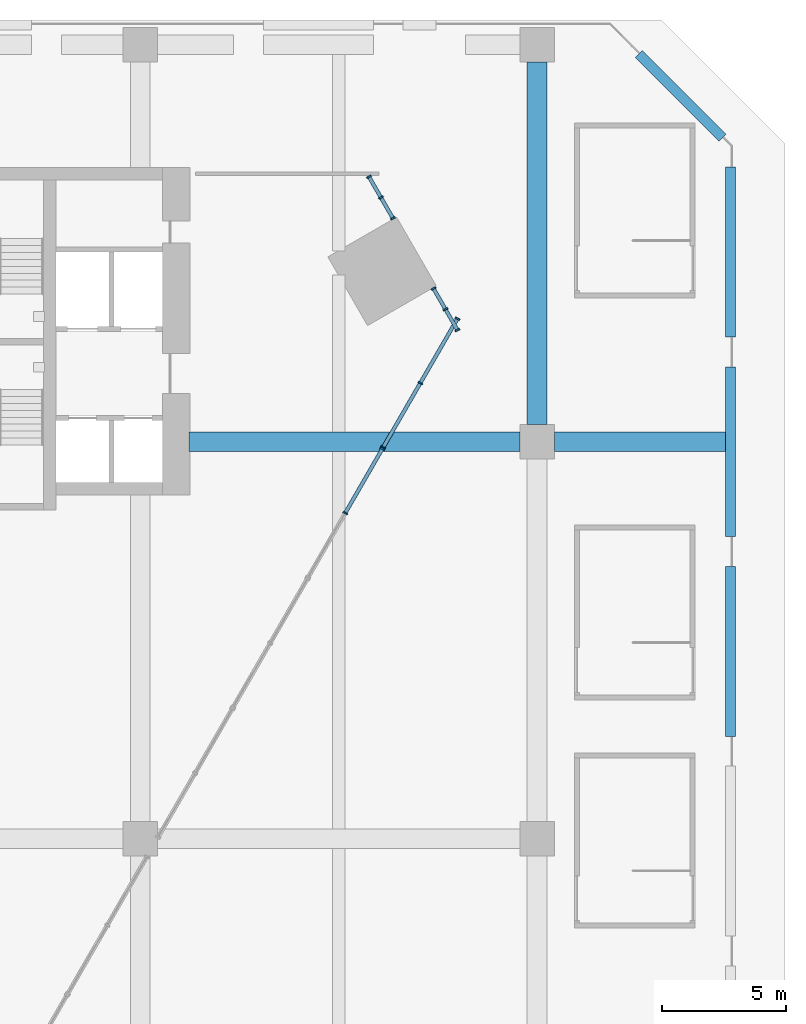
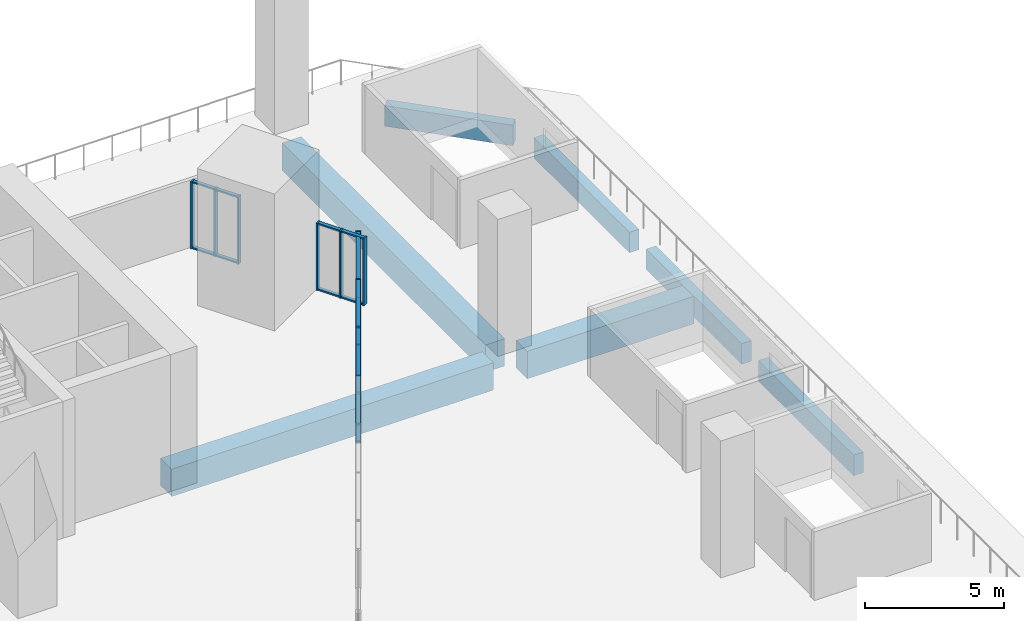
# One storey, part 12 of 25: 25 members, 7 beams, 4 elements without a shape of their own.
"""IFC4 building model written with IfcOpenShell, lengths in metres."""

from ifc_helpers import new_model, si_unit, direction, frame, origin, origin_2d, place, context, subcontext, project, spatial, rectangle, extrude, material, material_profile, profile_set, type_object, element, aggregate, save


model = new_model("IFC4")

# Units and contexts
model_context = context("Model", 3, precision=1e-05, world=origin(), true_north=direction((0.0, 1.0)))
body_context = subcontext(model_context, "Body", "Model", "MODEL_VIEW")
ifc_project = project(units=[si_unit("LENGTHUNIT", "METRE"), si_unit("AREAUNIT", "SQUARE_METRE"), si_unit("VOLUMEUNIT", "CUBIC_METRE"), si_unit("PLANEANGLEUNIT", "RADIAN"), si_unit("MASSUNIT", "GRAM", prefix="KILO")], contexts=[model_context])

# Site, building, storey
site_placement = place(None, origin())
site = spatial("IfcSite", under=ifc_project, at=site_placement, CompositionType="ELEMENT")
building_placement = place(site_placement, origin())
building = spatial("IfcBuilding", under=site, at=building_placement, Name="Calabash Gate Tower", CompositionType="ELEMENT")
storey_placement = place(building_placement, frame((0.0, 0.0, 40.0)))
storey = spatial("IfcBuildingStorey", under=building, at=storey_placement, Name="L05", CompositionType="ELEMENT", Elevation=40.0)

# Beams
ifc_material_1 = material(Name="Concrete C50/60", Category="concrete")
ifc_material_profile_1 = material_profile(ifc_material_1, rectangle(XDim=0.39990234375, YDim=0.89990234375, at=origin_2d()))
ifc_profile_set_1 = profile_set([ifc_material_profile_1], Name="Concrete C50/60")
beam_type_1 = type_object("IfcBeamType", Name="Edge beam RC 400x900 Concrete C50/60", PredefinedType="BEAM", material=ifc_profile_set_1)
beam_1_placement = place(storey_placement, frame((36.096923828125, 23.623046875, -0.89990234375), z_axis=(0.706799232068, -0.707414196597, 0.0), x_axis=(0.707414196597, 0.706799232068, 0.0)))
element("IfcBeam", 1, at=beam_1_placement, inside=storey, type_object=beam_type_1, Name="Edge beam L05 18", PredefinedType="BEAM", context=body_context, shape_type="SweptSolid", body=[
    extrude(rectangle(XDim=0.39990234375, YDim=0.89990234375, at=origin_2d()), origin(), (0.0, 0.0, 1.0), 4.763916015625),
])
beam_2_placement = place(storey_placement, frame((39.800048828125, 19.069091796875, -0.89990234375), z_axis=(0.0, -1.0, 0.0), x_axis=(1.0, 0.0, 0.0)))
element("IfcBeam", 2, at=beam_2_placement, inside=storey, type_object=beam_type_1, Name="Edge beam L05 19", PredefinedType="BEAM", context=body_context, shape_type="SweptSolid", body=[
    extrude(rectangle(XDim=0.39990234375, YDim=0.89990234375, at=origin_2d()), origin(), (0.0, 0.0, 1.0), 6.84912109375),
])
for number, where, z_axis, x_axis, name in (
    (3, (39.800048828125, 11.02001953125, -0.89990234375), (0.0, -1.0, 0.0), (1.0, 0.0, 0.0), "Edge beam L05 20"),
    (4, (39.800048828125, 2.971923828125, -0.89990234375), (0.0, -1.0, 0.0), (1.0, 0.0, 0.0), "Edge beam L05 21"),
):
    element("IfcBeam", number, at=place(storey_placement, frame(where, z_axis=z_axis, x_axis=x_axis)), inside=storey, type_object=beam_type_1, Name=name, PredefinedType="BEAM", context=body_context, shape_type="SweptSolid", body=[
        extrude(rectangle(XDim=0.39990234375, YDim=0.89990234375, at=origin_2d()), origin(), (0.0, 0.0, 1.0), 6.847900390625),
    ])
ifc_material_2 = material(Name="Concrete C50/60", Category="concrete")
ifc_material_profile_2 = material_profile(ifc_material_2, rectangle(XDim=0.800048828125, YDim=1.199951171875, at=origin_2d()))
ifc_profile_set_2 = profile_set([ifc_material_profile_2], Name="Concrete C50/60")
beam_type_2 = type_object("IfcBeamType", Name="Grid girder RC 800x1200 Concrete C50/60", PredefinedType="BEAM", material=ifc_profile_set_2)
beam_3_placement = place(storey_placement, frame((32.0, 8.699951171875, -1.050048828125), z_axis=(0.0, 1.0, 0.0), x_axis=(-1.0, 0.0, 0.0)))
element("IfcBeam", 5, at=beam_3_placement, inside=storey, type_object=beam_type_2, Name="Grid girder L05 21", PredefinedType="BEAM", context=body_context, shape_type="SweptSolid", body=[
    extrude(rectangle(XDim=0.800048828125, YDim=1.199951171875, at=origin_2d()), origin(), (0.0, 0.0, 1.0), 14.60009765625),
])
beam_4_placement = place(storey_placement, frame((17.968017578125, 8.0, -1.050048828125), z_axis=(1.0, 0.0, 0.0), x_axis=(0.0, 1.0, 0.0)))
element("IfcBeam", 6, at=beam_4_placement, inside=storey, type_object=beam_type_2, Name="Grid girder L05 40", PredefinedType="BEAM", context=body_context, shape_type="SweptSolid", body=[
    extrude(rectangle(XDim=0.800048828125, YDim=1.199951171875, at=origin_2d()), origin(), (0.0, 0.0, 1.0), 13.33203125),
])
beam_5_placement = place(storey_placement, frame((32.699951171875, 8.0, -1.050048828125), z_axis=(1.0, 0.0, 0.0), x_axis=(0.0, 1.0, 0.0)))
element("IfcBeam", 7, at=beam_5_placement, inside=storey, type_object=beam_type_2, Name="Grid girder L05 41", PredefinedType="BEAM", context=body_context, shape_type="SweptSolid", body=[
    extrude(rectangle(XDim=0.800048828125, YDim=1.199951171875, at=origin_2d()), origin(), (0.0, 0.0, 1.0), 6.900146484375),
])

# Curtain wall, members
ifc_material_3 = material(Name="Anodised aluminium frame, bronze finish, clear laminated impact-rated glazing", Category="aluminium")
curtain_wall_type = type_object("IfcCurtainWallType", Name="Curtain wall CWF podium shopfront", PredefinedType="NOTDEFINED", material=ifc_material_3)
curtain_wall_1_placement = place(storey_placement, origin())
curtain_wall_1 = element("IfcCurtainWall", 8, at=curtain_wall_1_placement, inside=storey, type_object=curtain_wall_type, Name="Curtain wall CWF L05 lobby 2.2.2", PredefinedType="NOTDEFINED")
ifc_material_4 = material(Name="Anodised aluminium frame, bronze finish", Category="aluminium")
ifc_material_profile_3 = material_profile(ifc_material_4, rectangle(XDim=0.199951171875, YDim=0.06494140625, at=origin_2d()))
ifc_profile_set_3 = profile_set([ifc_material_profile_3], Name="Anodised aluminium frame, bronze finish")
member_type_1 = type_object("IfcMemberType", Name="Mullion CWF 65x200", PredefinedType="MULLION", material=ifc_profile_set_3)
member_1_placement = place(storey_placement, frame((24.2666015625, 5.1259765625, 0.0), z_axis=(0.0, 0.0, 1.0), x_axis=(-0.866025331903, 0.500000124502, 0.0)))
member_1 = element("IfcMember", 9, at=member_1_placement, type_object=member_type_1, Name="CWF mullion 2", PredefinedType="MULLION", context=body_context, shape_type="SweptSolid", body=[
    extrude(rectangle(XDim=0.199951171875, YDim=0.06494140625, at=origin_2d()), origin(), (0.0, 0.0, 1.0), 2.949951171875),
])
member_2_placement = place(storey_placement, frame((25.76318359375, 7.71826171875, 0.0), z_axis=(0.0, 0.0, 1.0), x_axis=(-0.866025331903, 0.500000124502, 0.0)))
member_2 = element("IfcMember", 10, at=member_2_placement, type_object=member_type_1, Name="CWF mullion 3", PredefinedType="MULLION", context=body_context, shape_type="SweptSolid", body=[
    extrude(rectangle(XDim=0.199951171875, YDim=0.06494140625, at=origin_2d()), origin(), (0.0, 0.0, 1.0), 2.949951171875),
])

curtain_wall_2_placement = place(storey_placement, origin())
curtain_wall_2 = element("IfcCurtainWall", 11, at=curtain_wall_2_placement, inside=storey, type_object=curtain_wall_type, Name="Curtain wall CWF L05 lobby 2.2.3", PredefinedType="NOTDEFINED")
member_3_placement = place(storey_placement, frame((25.7958984375, 7.7744140625, 0.0), z_axis=(0.0, 0.0, 1.0), x_axis=(-0.866025444773, 0.499999929005, 0.0)))
member_3 = element("IfcMember", 12, at=member_3_placement, type_object=member_type_1, Name="CWF mullion 1", PredefinedType="MULLION", context=body_context, shape_type="SweptSolid", body=[
    extrude(rectangle(XDim=0.199951171875, YDim=0.06494140625, at=origin_2d()), origin(), (0.0, 0.0, 1.0), 2.949951171875),
])
member_4_placement = place(storey_placement, frame((27.29248046875, 10.36669921875, 0.0), z_axis=(0.0, 0.0, 1.0), x_axis=(-0.866025444773, 0.499999929005, 0.0)))
member_4 = element("IfcMember", 13, at=member_4_placement, type_object=member_type_1, Name="CWF mullion 2", PredefinedType="MULLION", context=body_context, shape_type="SweptSolid", body=[
    extrude(rectangle(XDim=0.199951171875, YDim=0.06494140625, at=origin_2d()), origin(), (0.0, 0.0, 1.0), 2.949951171875),
])
member_5_placement = place(storey_placement, frame((28.7890625, 12.959228515625, 0.0), z_axis=(0.0, 0.0, 1.0), x_axis=(-0.866025444773, 0.499999929005, 0.0)))
member_5 = element("IfcMember", 14, at=member_5_placement, type_object=member_type_1, Name="CWF mullion 3", PredefinedType="MULLION", context=body_context, shape_type="SweptSolid", body=[
    extrude(rectangle(XDim=0.199951171875, YDim=0.06494140625, at=origin_2d()), origin(), (0.0, 0.0, 1.0), 2.949951171875),
])

curtain_wall_3_placement = place(storey_placement, origin())
curtain_wall_3 = element("IfcCurtainWall", 15, at=curtain_wall_3_placement, inside=storey, type_object=curtain_wall_type, Name="Curtain wall CWF L05 lobby 3.0.0", PredefinedType="NOTDEFINED")
member_6_placement = place(storey_placement, frame((28.7890625, 12.501953125, 0.0), z_axis=(0.0, 0.0, 1.0), x_axis=(-0.866025408558, -0.499999991732, 0.0)))
member_6 = element("IfcMember", 16, at=member_6_placement, type_object=member_type_1, Name="CWF mullion 1", PredefinedType="MULLION", context=body_context, shape_type="SweptSolid", body=[
    extrude(rectangle(XDim=0.199951171875, YDim=0.06494140625, at=origin_2d()), origin(), (0.0, 0.0, 1.0), 2.949951171875),
])
member_7_placement = place(storey_placement, frame((28.305908203125, 13.339111328125, 0.0), z_axis=(0.0, 0.0, 1.0), x_axis=(-0.866025408558, -0.499999991732, 0.0)))
member_7 = element("IfcMember", 17, at=member_7_placement, type_object=member_type_1, Name="CWF mullion 2", PredefinedType="MULLION", context=body_context, shape_type="SweptSolid", body=[
    extrude(rectangle(XDim=0.199951171875, YDim=0.06494140625, at=origin_2d()), origin(), (0.0, 0.0, 1.0), 2.949951171875),
])
member_8_placement = place(storey_placement, frame((27.822509765625, 14.17626953125, 0.0), z_axis=(0.0, 0.0, 1.0), x_axis=(-0.866025408558, -0.499999991732, 0.0)))
member_8 = element("IfcMember", 18, at=member_8_placement, type_object=member_type_1, Name="CWF mullion 3", PredefinedType="MULLION", context=body_context, shape_type="SweptSolid", body=[
    extrude(rectangle(XDim=0.199951171875, YDim=0.06494140625, at=origin_2d()), origin(), (0.0, 0.0, 1.0), 2.949951171875),
])

curtain_wall_4_placement = place(storey_placement, origin())
curtain_wall_4 = element("IfcCurtainWall", 19, at=curtain_wall_4_placement, inside=storey, type_object=curtain_wall_type, Name="Curtain wall CWF L05 lobby 3.1.0", PredefinedType="NOTDEFINED")
member_9_placement = place(storey_placement, frame((26.18798828125, 17.00732421875, 0.0), z_axis=(0.0, 0.0, 1.0), x_axis=(-0.866025459888, -0.499999902826, 0.0)))
member_9 = element("IfcMember", 20, at=member_9_placement, type_object=member_type_1, Name="CWF mullion 1", PredefinedType="MULLION", context=body_context, shape_type="SweptSolid", body=[
    extrude(rectangle(XDim=0.199951171875, YDim=0.06494140625, at=origin_2d()), origin(), (0.0, 0.0, 1.0), 2.949951171875),
])
member_10_placement = place(storey_placement, frame((25.704833984375, 17.84423828125, 0.0), z_axis=(0.0, 0.0, 1.0), x_axis=(-0.866025459888, -0.499999902826, 0.0)))
member_10 = element("IfcMember", 21, at=member_10_placement, type_object=member_type_1, Name="CWF mullion 2", PredefinedType="MULLION", context=body_context, shape_type="SweptSolid", body=[
    extrude(rectangle(XDim=0.199951171875, YDim=0.06494140625, at=origin_2d()), origin(), (0.0, 0.0, 1.0), 2.949951171875),
])
member_11_placement = place(storey_placement, frame((25.2216796875, 18.68115234375, 0.0), z_axis=(0.0, 0.0, 1.0), x_axis=(-0.866025459888, -0.499999902826, 0.0)))
member_11 = element("IfcMember", 22, at=member_11_placement, type_object=member_type_1, Name="CWF mullion 3", PredefinedType="MULLION", context=body_context, shape_type="SweptSolid", body=[
    extrude(rectangle(XDim=0.199951171875, YDim=0.06494140625, at=origin_2d()), origin(), (0.0, 0.0, 1.0), 2.949951171875),
])

# Member
ifc_material_5 = material(Name="Anodised aluminium frame, bronze finish", Category="aluminium")
ifc_material_profile_4 = material_profile(ifc_material_5, rectangle(XDim=0.14990234375, YDim=0.06494140625, at=origin_2d()))
ifc_profile_set_4 = profile_set([ifc_material_profile_4], Name="Anodised aluminium frame, bronze finish")
member_type_2 = type_object("IfcMemberType", Name="Transom CWF 65x150", PredefinedType="USERDEFINED", material=ifc_profile_set_4)
member_12_placement = place(storey_placement, frame((24.282958984375, 5.154052734375, 0.032470703125), z_axis=(0.500003924108, 0.866023138188, 0.0), x_axis=(-0.866023138188, 0.500003924108, 0.0)))
member_12 = element("IfcMember", 23, at=member_12_placement, type_object=member_type_2, Name="CWF transom 2.1", ObjectType="TRANSOM", PredefinedType="USERDEFINED", context=body_context, shape_type="SweptSolid", body=[
    extrude(rectangle(XDim=0.14990234375, YDim=0.06494140625, at=origin_2d()), origin(), (0.0, 0.0, 1.0), 2.92822265625),
])

member_13_placement = place(storey_placement, frame((24.282958984375, 5.154052734375, 2.91748046875), z_axis=(0.500003924108, 0.866023138188, 0.0), x_axis=(-0.866023138188, 0.500003924108, 0.0)))
member_13 = element("IfcMember", 24, at=member_13_placement, type_object=member_type_2, Name="CWF transom 2.2", ObjectType="TRANSOM", PredefinedType="USERDEFINED", context=body_context, shape_type="SweptSolid", body=[
    extrude(rectangle(XDim=0.14990234375, YDim=0.06494140625, at=origin_2d()), origin(), (0.0, 0.0, 1.0), 2.92822265625),
])

aggregate(curtain_wall_1, [member_1, member_2, member_12, member_13])

member_14_placement = place(storey_placement, frame((25.81201171875, 7.802734375, 0.032470703125), z_axis=(0.500003924108, 0.866023138188, 0.0), x_axis=(-0.866023138188, 0.500003924108, 0.0)))
member_14 = element("IfcMember", 25, at=member_14_placement, type_object=member_type_2, Name="CWF transom 1.1", ObjectType="TRANSOM", PredefinedType="USERDEFINED", context=body_context, shape_type="SweptSolid", body=[
    extrude(rectangle(XDim=0.14990234375, YDim=0.06494140625, at=origin_2d()), origin(), (0.0, 0.0, 1.0), 2.92822265625),
])

member_15_placement = place(storey_placement, frame((25.81201171875, 7.802734375, 2.91748046875), z_axis=(0.500003924108, 0.866023138188, 0.0), x_axis=(-0.866023138188, 0.500003924108, 0.0)))
member_15 = element("IfcMember", 26, at=member_15_placement, type_object=member_type_2, Name="CWF transom 1.2", ObjectType="TRANSOM", PredefinedType="USERDEFINED", context=body_context, shape_type="SweptSolid", body=[
    extrude(rectangle(XDim=0.14990234375, YDim=0.06494140625, at=origin_2d()), origin(), (0.0, 0.0, 1.0), 2.92822265625),
])

member_16_placement = place(storey_placement, frame((27.30859375, 10.39501953125, 0.032470703125), z_axis=(0.500066451627, 0.86598703452, 0.0), x_axis=(-0.86598703452, 0.500066451627, 0.0)))
member_16 = element("IfcMember", 27, at=member_16_placement, type_object=member_type_2, Name="CWF transom 2.1", ObjectType="TRANSOM", PredefinedType="USERDEFINED", context=body_context, shape_type="SweptSolid", body=[
    extrude(rectangle(XDim=0.14990234375, YDim=0.06494140625, at=origin_2d()), origin(), (0.0, 0.0, 1.0), 2.92822265625),
])

member_17_placement = place(storey_placement, frame((27.30859375, 10.39501953125, 2.91748046875), z_axis=(0.500066451627, 0.86598703452, 0.0), x_axis=(-0.86598703452, 0.500066451627, 0.0)))
member_17 = element("IfcMember", 28, at=member_17_placement, type_object=member_type_2, Name="CWF transom 2.2", ObjectType="TRANSOM", PredefinedType="USERDEFINED", context=body_context, shape_type="SweptSolid", body=[
    extrude(rectangle(XDim=0.14990234375, YDim=0.06494140625, at=origin_2d()), origin(), (0.0, 0.0, 1.0), 2.92822265625),
])

aggregate(curtain_wall_2, [member_3, member_4, member_5, member_14, member_15, member_16, member_17])

member_18_placement = place(storey_placement, frame((28.77294921875, 12.5302734375, 0.032470703125), z_axis=(-0.500128717197, 0.865951076121, 0.0), x_axis=(-0.865951076121, -0.500128717197, 0.0)))
member_18 = element("IfcMember", 29, at=member_18_placement, type_object=member_type_2, Name="CWF transom 1.1", ObjectType="TRANSOM", PredefinedType="USERDEFINED", context=body_context, shape_type="SweptSolid", body=[
    extrude(rectangle(XDim=0.14990234375, YDim=0.06494140625, at=origin_2d()), origin(), (0.0, 0.0, 1.0), 0.901611328125),
])

member_19_placement = place(storey_placement, frame((28.77294921875, 12.5302734375, 2.91748046875), z_axis=(-0.500128717197, 0.865951076121, 0.0), x_axis=(-0.865951076121, -0.500128717197, 0.0)))
member_19 = element("IfcMember", 30, at=member_19_placement, type_object=member_type_2, Name="CWF transom 1.2", ObjectType="TRANSOM", PredefinedType="USERDEFINED", context=body_context, shape_type="SweptSolid", body=[
    extrude(rectangle(XDim=0.14990234375, YDim=0.06494140625, at=origin_2d()), origin(), (0.0, 0.0, 1.0), 0.901611328125),
])

member_20_placement = place(storey_placement, frame((28.28955078125, 13.3671875, 0.032470703125), z_axis=(-0.499808394541, 0.86613599899, 0.0), x_axis=(-0.86613599899, -0.499808394541, 0.0)))
member_20 = element("IfcMember", 31, at=member_20_placement, type_object=member_type_2, Name="CWF transom 2.1", ObjectType="TRANSOM", PredefinedType="USERDEFINED", context=body_context, shape_type="SweptSolid", body=[
    extrude(rectangle(XDim=0.14990234375, YDim=0.06494140625, at=origin_2d()), origin(), (0.0, 0.0, 1.0), 0.901611328125),
])

member_21_placement = place(storey_placement, frame((28.28955078125, 13.3671875, 2.91748046875), z_axis=(-0.499808394541, 0.86613599899, 0.0), x_axis=(-0.86613599899, -0.499808394541, 0.0)))
member_21 = element("IfcMember", 32, at=member_21_placement, type_object=member_type_2, Name="CWF transom 2.2", ObjectType="TRANSOM", PredefinedType="USERDEFINED", context=body_context, shape_type="SweptSolid", body=[
    extrude(rectangle(XDim=0.14990234375, YDim=0.06494140625, at=origin_2d()), origin(), (0.0, 0.0, 1.0), 0.901611328125),
])

aggregate(curtain_wall_3, [member_6, member_7, member_8, member_18, member_19, member_20, member_21])

member_22_placement = place(storey_placement, frame((26.171875, 17.035400390625, 0.032470703125), z_axis=(-0.50004290449, 0.866000631449, 0.0), x_axis=(-0.866000631449, -0.50004290449, 0.0)))
member_22 = element("IfcMember", 33, at=member_22_placement, type_object=member_type_2, Name="CWF transom 1.1", ObjectType="TRANSOM", PredefinedType="USERDEFINED", context=body_context, shape_type="SweptSolid", body=[
    extrude(rectangle(XDim=0.14990234375, YDim=0.06494140625, at=origin_2d()), origin(), (0.0, 0.0, 1.0), 0.9013671875),
])

member_23_placement = place(storey_placement, frame((26.171875, 17.035400390625, 2.91748046875), z_axis=(-0.50004290449, 0.866000631449, 0.0), x_axis=(-0.866000631449, -0.50004290449, 0.0)))
member_23 = element("IfcMember", 34, at=member_23_placement, type_object=member_type_2, Name="CWF transom 1.2", ObjectType="TRANSOM", PredefinedType="USERDEFINED", context=body_context, shape_type="SweptSolid", body=[
    extrude(rectangle(XDim=0.14990234375, YDim=0.06494140625, at=origin_2d()), origin(), (0.0, 0.0, 1.0), 0.9013671875),
])

member_24_placement = place(storey_placement, frame((25.6884765625, 17.872314453125, 0.032470703125), z_axis=(-0.499925626596, 0.866068339032, 0.0), x_axis=(-0.866068339032, -0.499925626596, 0.0)))
member_24 = element("IfcMember", 35, at=member_24_placement, type_object=member_type_2, Name="CWF transom 2.1", ObjectType="TRANSOM", PredefinedType="USERDEFINED", context=body_context, shape_type="SweptSolid", body=[
    extrude(rectangle(XDim=0.14990234375, YDim=0.06494140625, at=origin_2d()), origin(), (0.0, 0.0, 1.0), 0.901611328125),
])

member_25_placement = place(storey_placement, frame((25.6884765625, 17.872314453125, 2.91748046875), z_axis=(-0.499925626596, 0.866068339032, 0.0), x_axis=(-0.866068339032, -0.499925626596, 0.0)))
member_25 = element("IfcMember", 36, at=member_25_placement, type_object=member_type_2, Name="CWF transom 2.2", ObjectType="TRANSOM", PredefinedType="USERDEFINED", context=body_context, shape_type="SweptSolid", body=[
    extrude(rectangle(XDim=0.14990234375, YDim=0.06494140625, at=origin_2d()), origin(), (0.0, 0.0, 1.0), 0.901611328125),
])

aggregate(curtain_wall_4, [member_9, member_10, member_11, member_22, member_23, member_24, member_25])

save(model, "model.ifc")
